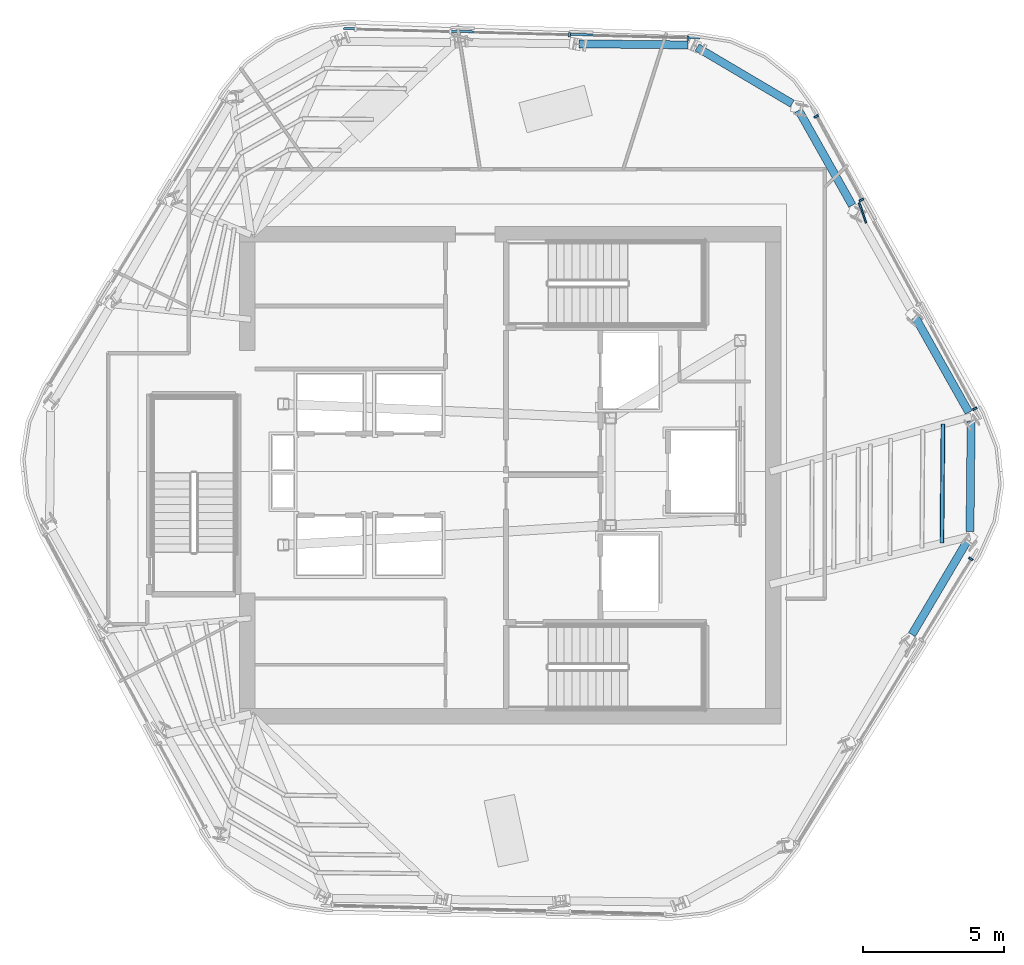
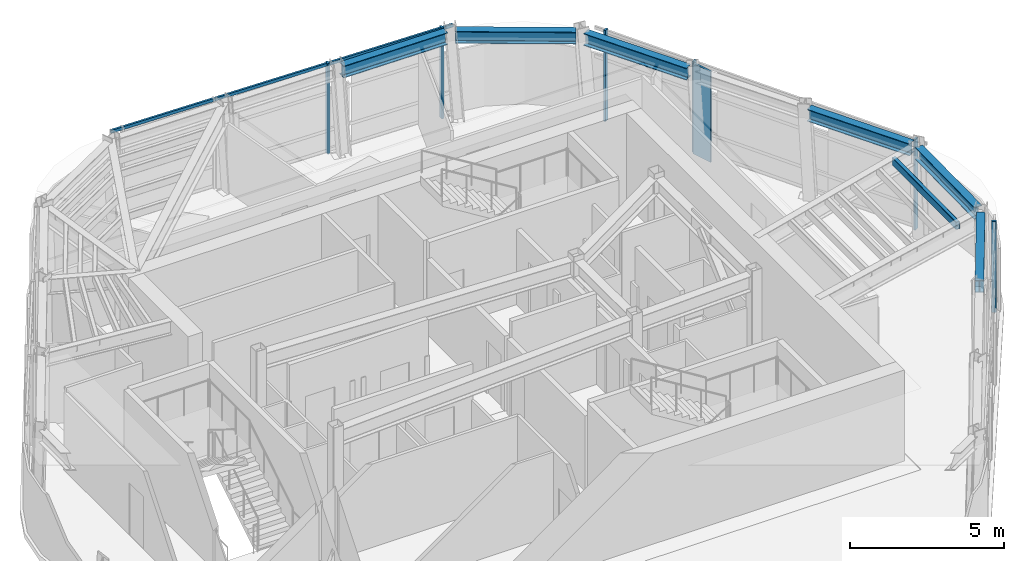
# One storey, part 5 of 13: 9 members, 6 beams, 3 elements without a shape of their own.
"""IFC4 building model written with IfcOpenShell, lengths in metres."""

from ifc_helpers import new_model, si_unit, direction, frame, origin, origin_2d, place, context, subcontext, project, spatial, rectangle, hollow_rectangle, i_section, extrude, material, layer, layer_set, material_profile, profile_set, type_object, element, aggregate, save


model = new_model("IFC4")

# Units and contexts
model_context = context("Model", 3, precision=1e-05, world=origin(), true_north=direction((0.0, 1.0)))
body_context = subcontext(model_context, "Body", "Model", "MODEL_VIEW")
ifc_project = project(units=[si_unit("LENGTHUNIT", "METRE"), si_unit("AREAUNIT", "SQUARE_METRE"), si_unit("VOLUMEUNIT", "CUBIC_METRE"), si_unit("PLANEANGLEUNIT", "RADIAN"), si_unit("MASSUNIT", "GRAM", prefix="KILO")], contexts=[model_context])

# Site, building, storey
site_placement = place(None, origin())
site = spatial("IfcSite", under=ifc_project, at=site_placement, CompositionType="ELEMENT")
building_placement = place(site_placement, origin())
building = spatial("IfcBuilding", under=site, at=building_placement, Name="Valkerne Bourse Tower", CompositionType="ELEMENT")
storey_placement = place(building_placement, frame((0.0, 0.0, 277.39990234375)))
storey = spatial("IfcBuildingStorey", under=building, at=storey_placement, Name="L70", CompositionType="ELEMENT", Elevation=277.39990234375)

# Beams
ifc_material_1 = material(Name="Steel ASTM A992", Category="steel")
ifc_material_profile_1 = material_profile(ifc_material_1, i_section(OverallWidth=0.284423828125, OverallDepth=0.47509765625, WebThickness=0.014892578125, FlangeThickness=0.02392578125, FilletRadius=0.017822265625, at=origin_2d()), Name="W18X106")
ifc_profile_set_1 = profile_set([ifc_material_profile_1], Name="Steel ASTM A992")
beam_type = type_object("IfcBeamType", Name="BM-W18X106", PredefinedType="BEAM", material=ifc_profile_set_1)
beam_1_placement = place(storey_placement, frame((53.106689453125, 42.133544921875, 3.362548828125), z_axis=(-0.999945216009, 0.010467329162, 0.0), x_axis=(-0.010467329162, -0.999945216009, 0.0)))
element("IfcBeam", 1, at=beam_1_placement, inside=storey, type_object=beam_type, Name="L70 Hexagonal Spandrel Ring Beam 00", PredefinedType="BEAM", context=body_context, shape_type="SweptSolid", body=[
    extrude(i_section(OverallWidth=0.284423828125, OverallDepth=0.47509765625, WebThickness=0.014892578125, FlangeThickness=0.02392578125, FilletRadius=0.017822265625, at=origin_2d()), origin(), (0.0, 0.0, 1.0), 3.871826171875),
])
beam_2_placement = place(storey_placement, frame((61.040771484375, 21.22216796875, 3.362548828125), z_axis=(0.509005432949, 0.860763306158, 0.0), x_axis=(-0.860763306158, 0.509005432949, 0.0)))
element("IfcBeam", 2, at=beam_2_placement, inside=storey, type_object=beam_type, Name="L70 Hexagonal Spandrel Ring Beam 18", PredefinedType="BEAM", context=body_context, shape_type="SweptSolid", body=[
    extrude(i_section(OverallWidth=0.284423828125, OverallDepth=0.47509765625, WebThickness=0.014892578125, FlangeThickness=0.02392578125, FilletRadius=0.017822265625, at=origin_2d()), origin(), (0.0, 0.0, 1.0), 3.8720703125),
])
beam_3_placement = place(storey_placement, frame((63.10009765625, 24.871337890625, 3.362548828125), z_axis=(0.010474546926, 0.999945140429, 0.0), x_axis=(-0.999945140429, 0.010474546926, 0.0)))
element("IfcBeam", 3, at=beam_3_placement, inside=storey, type_object=beam_type, Name="L70 Hexagonal Spandrel Ring Beam 19", PredefinedType="BEAM", context=body_context, shape_type="SweptSolid", body=[
    extrude(i_section(OverallWidth=0.284423828125, OverallDepth=0.47509765625, WebThickness=0.014892578125, FlangeThickness=0.02392578125, FilletRadius=0.017822265625, at=origin_2d()), origin(), (0.0, 0.0, 1.0), 3.915771484375),
])
beam_4_placement = place(storey_placement, frame((63.059326171875, 29.10498046875, 3.362548828125), z_axis=(-0.490880810531, 0.871226738486, 0.0), x_axis=(-0.871226738486, -0.490880810531, 0.0)))
element("IfcBeam", 4, at=beam_4_placement, inside=storey, type_object=beam_type, Name="L70 Hexagonal Spandrel Ring Beam 20", PredefinedType="BEAM", context=body_context, shape_type="SweptSolid", body=[
    extrude(i_section(OverallWidth=0.284423828125, OverallDepth=0.47509765625, WebThickness=0.014892578125, FlangeThickness=0.02392578125, FilletRadius=0.017822265625, at=origin_2d()), origin(), (0.0, 0.0, 1.0), 3.871826171875),
])
beam_5_placement = place(storey_placement, frame((58.924072265625, 36.444091796875, 3.362548828125), z_axis=(-0.490928669095, 0.871199771499, 0.0), x_axis=(-0.871199771499, -0.490928669095, 0.0)))
element("IfcBeam", 5, at=beam_5_placement, inside=storey, type_object=beam_type, Name="L70 Hexagonal Spandrel Ring Beam 22", PredefinedType="BEAM", context=body_context, shape_type="SweptSolid", body=[
    extrude(i_section(OverallWidth=0.284423828125, OverallDepth=0.47509765625, WebThickness=0.014892578125, FlangeThickness=0.02392578125, FilletRadius=0.017822265625, at=origin_2d()), origin(), (0.0, 0.0, 1.0), 3.8720703125),
])
beam_6_placement = place(storey_placement, frame((56.79345703125, 40.052001953125, 3.362548828125), z_axis=(-0.860721653506, 0.509075863881, 0.0), x_axis=(-0.509075863881, -0.860721653506, 0.0)))
element("IfcBeam", 6, at=beam_6_placement, inside=storey, type_object=beam_type, Name="L70 Hexagonal Spandrel Ring Beam 23", PredefinedType="BEAM", context=body_context, shape_type="SweptSolid", body=[
    extrude(i_section(OverallWidth=0.284423828125, OverallDepth=0.47509765625, WebThickness=0.014892578125, FlangeThickness=0.02392578125, FilletRadius=0.017822265625, at=origin_2d()), origin(), (0.0, 0.0, 1.0), 3.915771484375),
])

# Curtain wall, members
ifc_material_2 = material(Name="Aluminium AA 6063-T6", Category="aluminium")
ifc_layer = layer(ifc_material_2, 0.2451171875)
ifc_layer_set = layer_set([ifc_layer], Name="Aluminium AA 6063-T6")
curtain_wall_type = type_object("IfcCurtainWallType", Name="CW-05", PredefinedType="NOTDEFINED", material=ifc_layer_set)
curtain_wall_1_placement = place(storey_placement, origin())
curtain_wall_1 = element("IfcCurtainWall", 7, at=curtain_wall_1_placement, inside=storey, type_object=curtain_wall_type, Name="L70 Hexagonal Stick Curtain Wall Face 1", PredefinedType="NOTDEFINED")
ifc_material_profile_2 = material_profile(ifc_material_2, rectangle(XDim=0.074951171875, YDim=0.159912109375, at=origin_2d()), Name="CWM-75X160")
ifc_profile_set_2 = profile_set([ifc_material_profile_2], Name="Aluminium AA 6063-T6")
member_type_1 = type_object("IfcMemberType", Name="CW-MUL-160X75", PredefinedType="MULLION", material=ifc_profile_set_2)
member_1_placement = place(storey_placement, frame((53.102783203125, 42.379150390625, 0.0), z_axis=(0.0, 0.0, 1.0), x_axis=(-0.999657687956, 0.026163082979, 0.0)))
member_1 = element("IfcMember", 8, at=member_1_placement, type_object=member_type_1, Name="CW-L70-F1 Jamb Mullion 00A", PredefinedType="MULLION", context=body_context, shape_type="SweptSolid", body=[
    extrude(rectangle(XDim=0.074951171875, YDim=0.159912109375, at=origin_2d()), origin(), (0.0, 0.0, 1.0), 3.60009765625),
])
member_2_placement = place(storey_placement, frame((48.89208984375, 42.4892578125, 0.0), z_axis=(0.0, 0.0, 1.0), x_axis=(-0.999657050456, 0.026187429674, 0.0)))
member_2 = element("IfcMember", 9, at=member_2_placement, type_object=member_type_1, Name="CW-L70-F1 Jamb Mullion 01A", PredefinedType="MULLION", context=body_context, shape_type="SweptSolid", body=[
    extrude(rectangle(XDim=0.074951171875, YDim=0.159912109375, at=origin_2d()), origin(), (0.0, 0.0, 1.0), 3.60009765625),
])

# Curtain wall, member
curtain_wall_2_placement = place(storey_placement, origin())
curtain_wall_2 = element("IfcCurtainWall", 10, at=curtain_wall_2_placement, inside=storey, type_object=curtain_wall_type, Name="L70 Hexagonal Stick Curtain Wall Face 5", PredefinedType="NOTDEFINED")
member_3_placement = place(storey_placement, frame((63.130615234375, 23.909912109375, 0.0), z_axis=(0.0, 0.0, 1.0), x_axis=(0.522496364011, 0.852641512944, 0.0)))
member_3 = element("IfcMember", 11, at=member_3_placement, type_object=member_type_1, Name="CW-L70-F5 Jamb Mullion 02B", PredefinedType="MULLION", context=body_context, shape_type="SweptSolid", body=[
    extrude(rectangle(XDim=0.074951171875, YDim=0.159912109375, at=origin_2d()), origin(), (0.0, 0.0, 1.0), 3.60009765625),
])
aggregate(curtain_wall_2, [member_3])

# Curtain wall, members
curtain_wall_3_placement = place(storey_placement, origin())
curtain_wall_3 = element("IfcCurtainWall", 12, at=curtain_wall_3_placement, inside=storey, type_object=curtain_wall_type, Name="L70 Hexagonal Stick Curtain Wall Face 6", PredefinedType="NOTDEFINED")
member_4_placement = place(storey_placement, frame((63.27001953125, 29.231201171875, 0.0), z_axis=(0.0, 0.0, 1.0), x_axis=(-0.477157876868, 0.878817592304, 0.0)))
member_4 = element("IfcMember", 13, at=member_4_placement, type_object=member_type_1, Name="CW-L70-F6 Jamb Mullion 00A", PredefinedType="MULLION", context=body_context, shape_type="SweptSolid", body=[
    extrude(rectangle(XDim=0.074951171875, YDim=0.159912109375, at=origin_2d()), origin(), (0.0, 0.0, 1.0), 3.60009765625),
])
member_5_placement = place(storey_placement, frame((59.25048828125, 36.63427734375, 0.0), z_axis=(0.0, 0.0, 1.0), x_axis=(-0.477157876868, 0.878817592304, 0.0)))
member_5 = element("IfcMember", 14, at=member_5_placement, type_object=member_type_1, Name="CW-L70-F6 Jamb Mullion 02A", PredefinedType="MULLION", context=body_context, shape_type="SweptSolid", body=[
    extrude(rectangle(XDim=0.074951171875, YDim=0.159912109375, at=origin_2d()), origin(), (0.0, 0.0, 1.0), 3.60009765625),
])
member_6_placement = place(storey_placement, frame((57.641357421875, 39.59765625, 0.0), z_axis=(0.0, 0.0, 1.0), x_axis=(-0.477157876868, 0.878817592304, 0.0)))
member_6 = element("IfcMember", 15, at=member_6_placement, type_object=member_type_1, Name="CW-L70-F6 Jamb Mullion 02B", PredefinedType="MULLION", context=body_context, shape_type="SweptSolid", body=[
    extrude(rectangle(XDim=0.074951171875, YDim=0.159912109375, at=origin_2d()), origin(), (0.0, 0.0, 1.0), 3.60009765625),
])
aggregate(curtain_wall_3, [member_4, member_5, member_6])

# Member
ifc_material_profile_3 = material_profile(ifc_material_2, rectangle(XDim=0.074951171875, YDim=0.1201171875, at=origin_2d()), Name="CWT-75X120")
ifc_profile_set_3 = profile_set([ifc_material_profile_3], Name="Aluminium AA 6063-T6")
member_type_2 = type_object("IfcMemberType", Name="CW-TRN-120X75", PredefinedType="USERDEFINED", material=ifc_profile_set_3)
member_7_placement = place(storey_placement, frame((53.523193359375, 42.38818359375, 3.52001953125), z_axis=(-0.99965775943, 0.02616035188, 0.0), x_axis=(-0.02616035188, -0.99965775943, 0.0)))
member_7 = element("IfcMember", 16, at=member_7_placement, type_object=member_type_2, Name="CW-L70-F1 Continuous Face Transom 4", ObjectType="TRANSOM", PredefinedType="USERDEFINED", context=body_context, shape_type="SweptSolid", body=[
    extrude(rectangle(XDim=0.074951171875, YDim=0.1201171875, at=origin_2d()), origin(), (0.0, 0.0, 1.0), 12.63623046875),
])

aggregate(curtain_wall_1, [member_7, member_1, member_2])

# Members
ifc_material_3 = material(Name="Bronze Anodised Aluminium AA 6063-T6", Category="aluminium")
ifc_material_profile_4 = material_profile(ifc_material_3, rectangle(XDim=0.06494140625, YDim=0.75, at=origin_2d()), Name="FIN-65X750")
ifc_profile_set_4 = profile_set([ifc_material_profile_4], Name="Bronze Anodised Aluminium AA 6063-T6")
member_type_3 = type_object("IfcMemberType", Name="FIN-SOLAR-650", PredefinedType="USERDEFINED", material=ifc_profile_set_4)
member_8_placement = place(storey_placement, frame((59.29248046875, 36.17919921875, 0.004150390625), z_axis=(0.0, 0.0, 1.0), x_axis=(0.946294402873, 0.323306206392, 0.0)))
element("IfcMember", 17, at=member_8_placement, inside=storey, type_object=member_type_3, Name="L70 Bronze Anodised Solar Fin F6-02", ObjectType="SOLAR_FIN", PredefinedType="USERDEFINED", context=body_context, shape_type="SweptSolid", body=[
    extrude(rectangle(XDim=0.06494140625, YDim=0.75, at=origin_2d()), origin(), (0.0, 0.0, 1.0), 3.592041015625),
])
ifc_material_4 = material(Name="Steel ASTM A500 Grade C", Category="steel")
ifc_material_profile_5 = material_profile(ifc_material_4, hollow_rectangle(XDim=0.14990234375, YDim=0.300048828125, WallThickness=0.012451171875, OuterFilletRadius=0.02490234375, at=origin_2d()), Name="HSS300X150X12.5")
ifc_profile_set_5 = profile_set([ifc_material_profile_5], Name="Steel ASTM A500 Grade C")
member_type_4 = type_object("IfcMemberType", Name="MBR-HSS300X150X12.5", PredefinedType="PURLIN", material=ifc_profile_set_5)
member_9_placement = place(storey_placement, frame((62.1044921875, 24.463134765625, 3.440185546875), z_axis=(0.009083170753, 0.999958747154, 0.0), x_axis=(-0.999958747154, 0.009083170753, 0.0)))
element("IfcMember", 18, at=member_9_placement, inside=storey, type_object=member_type_4, Name="L70 Secondary Composite Floor Purlin T-19", PredefinedType="PURLIN", context=body_context, shape_type="SweptSolid", body=[
    extrude(hollow_rectangle(XDim=0.14990234375, YDim=0.300048828125, WallThickness=0.012451171875, OuterFilletRadius=0.02490234375, at=origin_2d()), origin(), (0.0, 0.0, 1.0), 4.219970703125),
])

save(model, "model.ifc")
